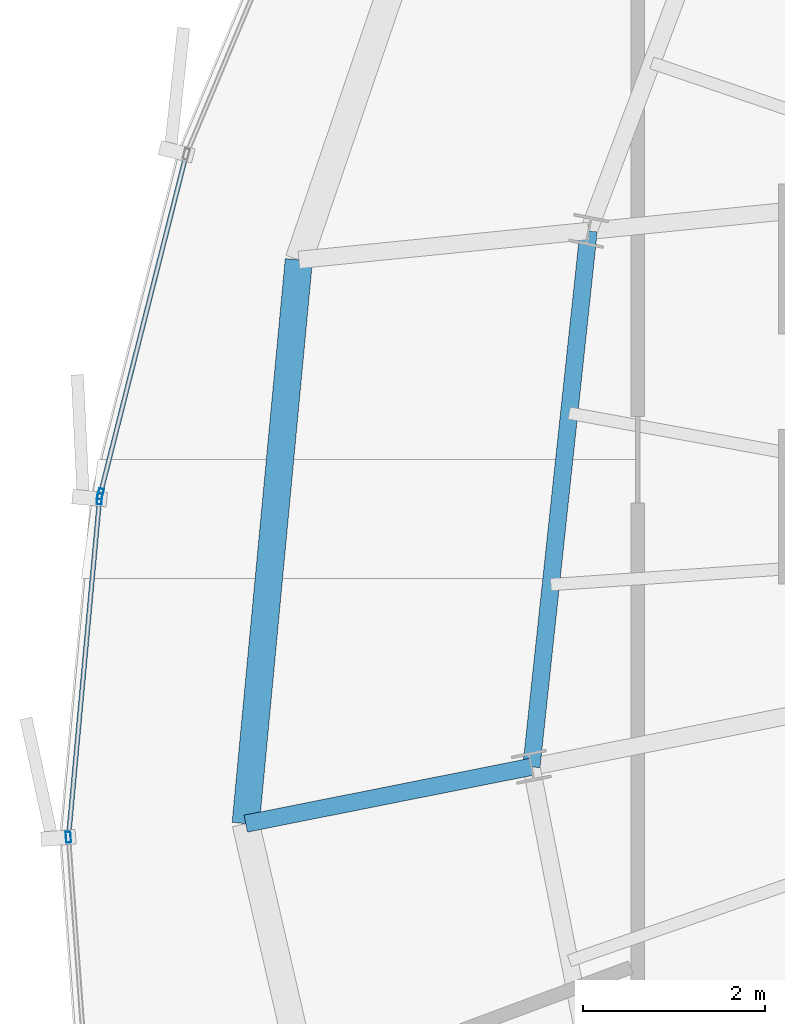
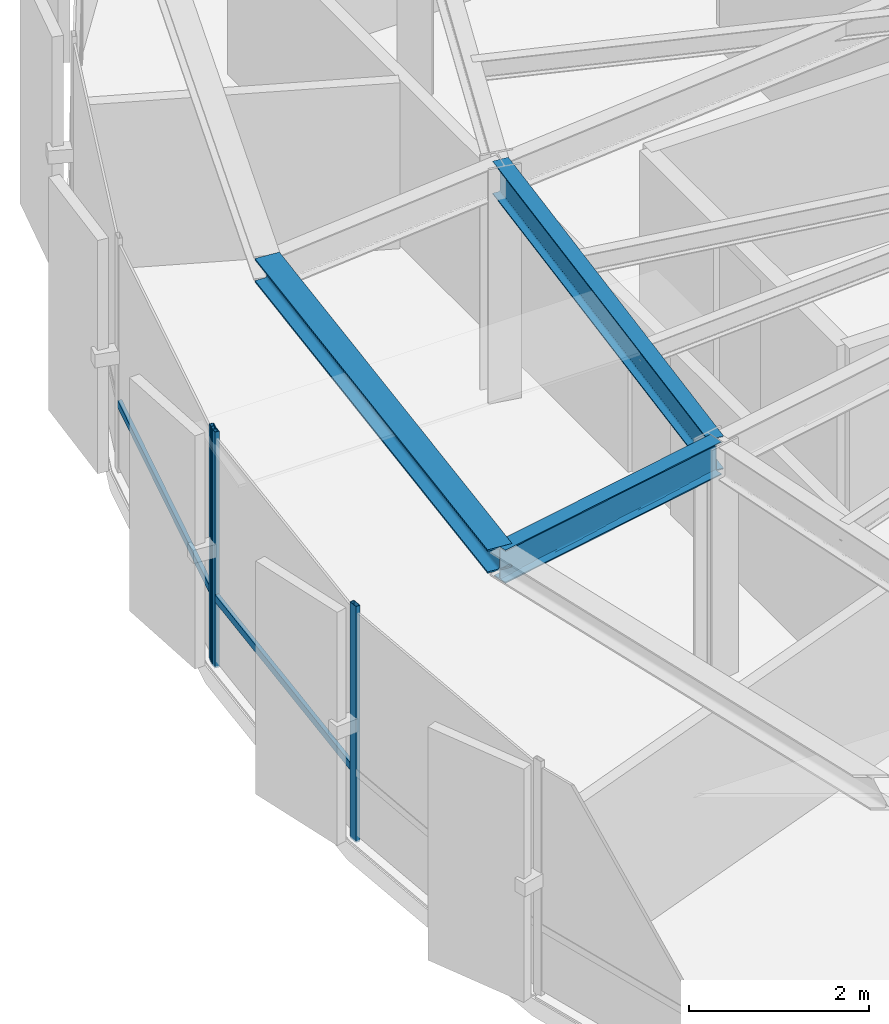
# One storey, part 9 of 33: 5 members, 3 beams, 2 elements without a shape of their own.
"""IFC4 building model written with IfcOpenShell, lengths in metres."""

from ifc_helpers import new_model, si_unit, direction, frame, origin, origin_2d, place, context, subcontext, project, spatial, hollow_rectangle, i_section, extrude, source, transform, mapped, material, layer, layer_set, material_profile, profile_set, type_object, element, aggregate, save


model = new_model("IFC4")

# Units and contexts
model_context = context("Model", 3, precision=1e-05, world=origin(), true_north=direction((0.0, 1.0)))
body_context = subcontext(model_context, "Body", "Model", "MODEL_VIEW")
ifc_project = project(units=[si_unit("LENGTHUNIT", "METRE"), si_unit("AREAUNIT", "SQUARE_METRE"), si_unit("VOLUMEUNIT", "CUBIC_METRE"), si_unit("PLANEANGLEUNIT", "RADIAN"), si_unit("MASSUNIT", "GRAM", prefix="KILO"), si_unit("THERMODYNAMICTEMPERATUREUNIT", "KELVIN")], contexts=[model_context])

# Site, building, storey
site_placement = place(None, origin())
site = spatial("IfcSite", under=ifc_project, at=site_placement, CompositionType="ELEMENT")
building_placement = place(site_placement, origin())
building = spatial("IfcBuilding", under=site, at=building_placement, Name="Kethvar Cultural Tower", CompositionType="ELEMENT")
storey_placement = place(building_placement, frame((0.0, 0.0, 256.0)))
storey = spatial("IfcBuildingStorey", under=building, at=storey_placement, Name="L67", CompositionType="ELEMENT", Elevation=256.0)

# Beams
ifc_material_1 = material(Name="Steel S355J2", Category="steel")
ifc_material_profile_1 = material_profile(ifc_material_1, i_section(OverallWidth=0.18994140625, OverallDepth=0.449951171875, WebThickness=0.009521484375, FlangeThickness=0.0146484375, FilletRadius=0.02099609375, at=origin_2d()), Name="Steel S355J2 — IPE450")
ifc_profile_set_1 = profile_set([ifc_material_profile_1], Name="Steel S355J2 — IPE450")
beam_type_1 = type_object("IfcBeamType", Name="BM-IPE450", PredefinedType="BEAM", material=ifc_profile_set_1)
shared_shape_1 = source(origin(), body_context, "Body", "SweptSolid", [
    extrude(i_section(OverallWidth=0.18994140625, OverallDepth=0.449951171875, WebThickness=0.009521484375, FlangeThickness=0.0146484375, FilletRadius=0.02099609375, at=origin_2d()), origin(), (0.0, 0.0, 1.0), 3.2001953125),
])
beam_1_placement = place(storey_placement, frame((31.68310546875, 24.79296875, 2.98291015625), z_axis=(-0.980788453702, -0.195074368086, 0.0), x_axis=(0.195074368086, -0.980788453702, 0.0)))
element("IfcBeam", 1, at=beam_1_placement, inside=storey, type_object=beam_type_1, Name="L67 Perimeter Cantilever Beam RC-09", PredefinedType="BEAM", context=body_context, shape_type="MappedRepresentation", body=[
    mapped(shared_shape_1, transform((0.0, 0.0, 0.0), scale=1.0)),
])
shared_shape_2 = source(origin(), body_context, "Body", "SweptSolid", [
    extrude(i_section(OverallWidth=0.18994140625, OverallDepth=0.449951171875, WebThickness=0.009521484375, FlangeThickness=0.0146484375, FilletRadius=0.02099609375, at=origin_2d()), origin(), (0.0, 0.0, 1.0), 5.92236328125),
])
beam_2_placement = place(storey_placement, frame((32.3125, 30.681884765625, 2.98291015625), z_axis=(-0.106272578913, -0.994337034899, 0.0), x_axis=(0.994337034899, -0.106272578913, 0.0)))
element("IfcBeam", 2, at=beam_2_placement, inside=storey, type_object=beam_type_1, Name="L67 Column Ring Tie Beam CR-08", PredefinedType="BEAM", context=body_context, shape_type="MappedRepresentation", body=[
    mapped(shared_shape_2, transform((0.0, 0.0, 0.0), scale=1.0)),
])
ifc_material_profile_2 = material_profile(ifc_material_1, i_section(OverallWidth=0.300048828125, OverallDepth=0.320068359375, WebThickness=0.011474609375, FlangeThickness=0.0205078125, FilletRadius=0.027099609375, at=origin_2d()), Name="Steel S355J2 — HEB320")
ifc_profile_set_2 = profile_set([ifc_material_profile_2], Name="Steel S355J2 — HEB320")
beam_type_2 = type_object("IfcBeamType", Name="BM-SP320", PredefinedType="SPANDREL", material=ifc_profile_set_2)
shared_shape_3 = source(origin(), body_context, "Body", "SweptSolid", [
    extrude(i_section(OverallWidth=0.300048828125, OverallDepth=0.320068359375, WebThickness=0.011474609375, FlangeThickness=0.0205078125, FilletRadius=0.027099609375, at=origin_2d()), origin(), (0.0, 0.0, 1.0), 6.222412109375),
])
beam_3_placement = place(storey_placement, frame((29.128173828125, 30.36376953125, 3.048095703125), z_axis=(-0.093811063392, -0.995590018223, 0.0), x_axis=(0.995590018223, -0.093811063392, 0.0)))
element("IfcBeam", 3, at=beam_3_placement, inside=storey, type_object=beam_type_2, Name="L67 Perimeter Spandrel Beam SP-08", PredefinedType="SPANDREL", context=body_context, shape_type="MappedRepresentation", body=[
    mapped(shared_shape_3, transform((0.0, 0.0, 0.0), scale=1.0)),
])

# Curtain wall, member
ifc_material_2 = material(Name="Aluminium 6063-T6", Category="aluminium")
ifc_layer = layer(ifc_material_2, 0.179931640625, Name="Aluminium 6063-T6", Category="aluminium")
ifc_layer_set = layer_set([ifc_layer], Name="Aluminium 6063-T6 (180 mm)")
curtain_wall_type = type_object("IfcCurtainWallType", Name="CW-SYS-05-Z56", PredefinedType="NOTDEFINED", material=ifc_layer_set)
curtain_wall_1_placement = place(storey_placement, origin())
curtain_wall_1 = element("IfcCurtainWall", 4, at=curtain_wall_1_placement, inside=storey, type_object=curtain_wall_type, Name="L67 Curtain Wall Run 02", PredefinedType="NOTDEFINED")
ifc_material_profile_3 = material_profile(ifc_material_2, hollow_rectangle(XDim=0.054931640625, YDim=0.1201171875, WallThickness=0.00390625, at=origin_2d()), Name="Aluminium 6063-T6 — RHS120x55x4")
ifc_profile_set_3 = profile_set([ifc_material_profile_3], Name="Aluminium 6063-T6 — RHS120x55x4")
member_type_1 = type_object("IfcMemberType", Name="CW-SYS-05-Z56-MUL", PredefinedType="MULLION", material=ifc_profile_set_3)
shared_shape_4 = source(origin(), body_context, "Body", "SweptSolid", [
    extrude(hollow_rectangle(XDim=0.054931640625, YDim=0.1201171875, WallThickness=0.00390625, at=origin_2d()), origin(), (0.0, 0.0, 1.0), 3.2099609375),
])
member_1_placement = place(storey_placement, frame((26.947265625, 27.79052734375, 0.0), z_axis=(0.0, 0.0, 1.0), x_axis=(0.969530919263, -0.244968970675, 0.0)))
member_1 = element("IfcMember", 5, at=member_1_placement, type_object=member_type_1, Name="CW-L67-R02 Mullion 7", PredefinedType="MULLION", context=body_context, shape_type="MappedRepresentation", body=[
    mapped(shared_shape_4, transform((0.0, 0.0, 0.0), scale=1.0)),
])

# Curtain wall, members
curtain_wall_2_placement = place(storey_placement, origin())
curtain_wall_2 = element("IfcCurtainWall", 6, at=curtain_wall_2_placement, inside=storey, type_object=curtain_wall_type, Name="L67 Curtain Wall Run 03", PredefinedType="NOTDEFINED")
member_2_placement = place(storey_placement, frame((26.93798828125, 27.735595703125, 0.0), z_axis=(0.0, 0.0, 1.0), x_axis=(0.995816099174, -0.091379957458, 0.0)))
member_2 = element("IfcMember", 7, at=member_2_placement, type_object=member_type_1, Name="CW-L67-R03 Mullion 1", PredefinedType="MULLION", context=body_context, shape_type="MappedRepresentation", body=[
    mapped(shared_shape_4, transform((0.0, 0.0, 0.0), scale=1.0)),
])
member_3_placement = place(storey_placement, frame((26.595458984375, 24.01953125, 0.0), z_axis=(0.0, 0.0, 1.0), x_axis=(0.997257940254, 0.074004057994, 0.0)))
member_3 = element("IfcMember", 8, at=member_3_placement, type_object=member_type_1, Name="CW-L67-R03 Mullion 2", PredefinedType="MULLION", context=body_context, shape_type="MappedRepresentation", body=[
    mapped(shared_shape_4, transform((0.0, 0.0, 0.0), scale=1.0)),
])

# Member
ifc_material_profile_4 = material_profile(ifc_material_2, hollow_rectangle(XDim=0.050048828125, YDim=0.10009765625, WallThickness=0.00390625, at=origin_2d()), Name="Aluminium 6063-T6 — RHS100x50x4")
ifc_profile_set_4 = profile_set([ifc_material_profile_4], Name="Aluminium 6063-T6 — RHS100x50x4")
member_type_2 = type_object("IfcMemberType", Name="CW-SYS-05-Z56-TRN", PredefinedType="USERDEFINED", material=ifc_profile_set_4)
shared_shape_5 = source(origin(), body_context, "Body", "SweptSolid", [
    extrude(hollow_rectangle(XDim=0.050048828125, YDim=0.10009765625, WallThickness=0.00390625, at=origin_2d()), origin(), (0.0, 0.0, 1.0), 3.80810546875),
])
member_4_placement = place(storey_placement, frame((27.881103515625, 31.486328125, 0.949951171875), z_axis=(-0.244963494627, -0.969532302866, 0.0), x_axis=(0.969532302866, -0.244963494627, 0.0)))
member_4 = element("IfcMember", 9, at=member_4_placement, type_object=member_type_2, Name="CW-L67-R02 Transom 6", ObjectType="TRANSOM", PredefinedType="USERDEFINED", context=body_context, shape_type="MappedRepresentation", body=[
    mapped(shared_shape_5, transform((0.0, 0.0, 0.0), scale=1.0)),
])

aggregate(curtain_wall_1, [member_1, member_4])

shared_shape_6 = source(origin(), body_context, "Body", "SweptSolid", [
    extrude(hollow_rectangle(XDim=0.050048828125, YDim=0.10009765625, WallThickness=0.00390625, at=origin_2d()), origin(), (0.0, 0.0, 1.0), 3.70458984375),
])
member_5_placement = place(storey_placement, frame((26.9375, 27.731689453125, 0.949951171875), z_axis=(-0.091337864194, -0.995819960919, 0.0), x_axis=(0.995819960919, -0.091337864194, 0.0)))
member_5 = element("IfcMember", 10, at=member_5_placement, type_object=member_type_2, Name="CW-L67-R03 Transom 1", ObjectType="TRANSOM", PredefinedType="USERDEFINED", context=body_context, shape_type="MappedRepresentation", body=[
    mapped(shared_shape_6, transform((0.0, 0.0, 0.0), scale=1.0)),
])

aggregate(curtain_wall_2, [member_2, member_3, member_5])

save(model, "model.ifc")
